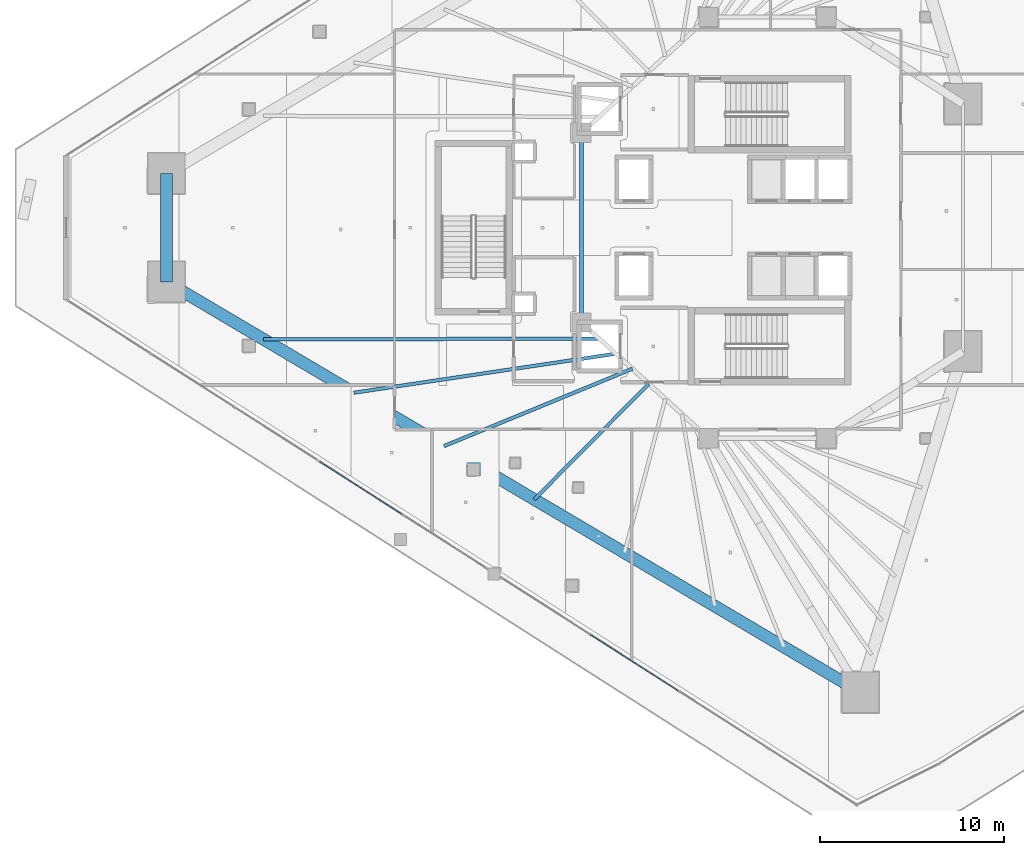
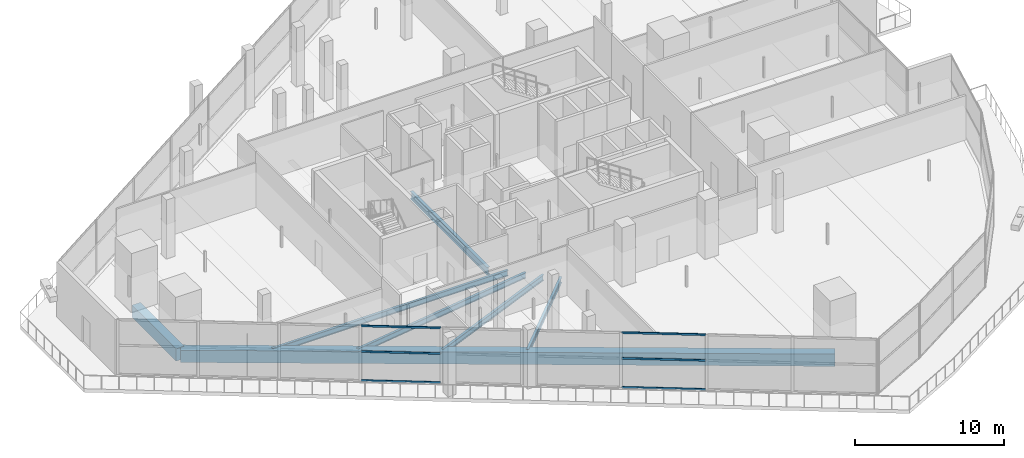
# One storey, part 4 of 42: 7 beams, 6 members, 2 elements without a shape of their own.
"""IFC4 building model written with IfcOpenShell, lengths in metres."""

from ifc_helpers import new_model, si_unit, direction, frame, origin, origin_2d, place, context, subcontext, project, spatial, rectangle, hollow_rectangle, i_section, extrude, material, layer, layer_set, material_profile, profile_set, type_object, element, aggregate, save


model = new_model("IFC4")

# Units and contexts
model_context = context("Model", 3, precision=1e-05, world=origin(), true_north=direction((0.0, 1.0)))
body_context = subcontext(model_context, "Body", "Model", "MODEL_VIEW")
ifc_project = project(units=[si_unit("LENGTHUNIT", "METRE"), si_unit("AREAUNIT", "SQUARE_METRE"), si_unit("VOLUMEUNIT", "CUBIC_METRE"), si_unit("PLANEANGLEUNIT", "RADIAN"), si_unit("MASSUNIT", "GRAM", prefix="KILO")], contexts=[model_context])

# Site, building, storey
site_placement = place(None, origin())
site = spatial("IfcSite", under=ifc_project, at=site_placement, CompositionType="ELEMENT")
building_placement = place(site_placement, origin())
building = spatial("IfcBuilding", under=site, at=building_placement, Name="Qorvath Tower", CompositionType="ELEMENT")
storey_placement = place(building_placement, frame((0.0, 0.0, 105.0)))
storey = spatial("IfcBuildingStorey", under=building, at=storey_placement, Name="L23", CompositionType="ELEMENT", Elevation=105.0)

# Beams
ifc_material_1 = material(Name="Steel ASTM A992 Grade 50", Category="steel")
ifc_material_profile_1 = material_profile(ifc_material_1, i_section(OverallWidth=0.22998046875, OverallDepth=0.616943359375, WebThickness=0.01318359375, FlangeThickness=0.022216796875, FilletRadius=0.014892578125, at=origin_2d()), Name="W24x94")
ifc_profile_set_1 = profile_set([ifc_material_profile_1], Name="Steel ASTM A992 Grade 50")
beam_type_1 = type_object("IfcBeamType", Name="BM-FG6", PredefinedType="BEAM", material=ifc_profile_set_1)
beam_1_placement = place(storey_placement, frame((-30.5, -5.14990234375, -0.6083984375), z_axis=(0.0, 1.0, 0.0), x_axis=(-1.0, 0.0, 0.0)))
element("IfcBeam", 1, at=beam_1_placement, inside=storey, type_object=beam_type_1, Name="Core Ring Girder CC6-CC5 L23", PredefinedType="BEAM", context=body_context, shape_type="SweptSolid", body=[
    extrude(i_section(OverallWidth=0.22998046875, OverallDepth=0.616943359375, WebThickness=0.01318359375, FlangeThickness=0.022216796875, FilletRadius=0.014892578125, at=origin_2d()), origin(), (0.0, 0.0, 1.0), 10.2998046875),
])
ifc_material_2 = material(Name="Steel ASTM A992 Grade 50", Category="steel")
ifc_material_profile_2 = material_profile(ifc_material_2, i_section(OverallWidth=0.18994140625, OverallDepth=0.45703125, WebThickness=0.009033203125, FlangeThickness=0.014404296875, FilletRadius=0.011962890625, at=origin_2d()), Name="W18x50")
ifc_profile_set_2 = profile_set([ifc_material_profile_2], Name="Steel ASTM A992 Grade 50")
beam_type_2 = type_object("IfcBeamType", Name="BM-FJ2", PredefinedType="JOIST", material=ifc_profile_set_2)
beam_2_placement = place(storey_placement, frame((-29.533935546875, -6.031982421875, -0.528564453125), z_axis=(-0.999997589883, -0.002195501951, 0.0), x_axis=(0.002195501951, -0.999997589883, 0.0)))
element("IfcBeam", 2, at=beam_2_placement, inside=storey, type_object=beam_type_2, Name="Composite Floor Joist SW1 L23", PredefinedType="JOIST", context=body_context, shape_type="SweptSolid", body=[
    extrude(i_section(OverallWidth=0.18994140625, OverallDepth=0.45703125, WebThickness=0.009033203125, FlangeThickness=0.014404296875, FilletRadius=0.011962890625, at=origin_2d()), origin(), (0.0, 0.0, 1.0), 18.23681640625),
])
beam_3_placement = place(storey_placement, frame((-28.636962890625, -6.85107421875, -0.528564453125), z_axis=(-0.989092860328, -0.147293291256, 0.0), x_axis=(0.147293291256, -0.989092860328, 0.0)))
element("IfcBeam", 3, at=beam_3_placement, inside=storey, type_object=beam_type_2, Name="Composite Floor Joist SW2 L23", PredefinedType="JOIST", context=body_context, shape_type="SweptSolid", body=[
    extrude(i_section(OverallWidth=0.18994140625, OverallDepth=0.45703125, WebThickness=0.009033203125, FlangeThickness=0.014404296875, FilletRadius=0.011962890625, at=origin_2d()), origin(), (0.0, 0.0, 1.0), 14.388916015625),
])
beam_4_placement = place(storey_placement, frame((-27.739990234375, -7.669921875, -0.528564453125), z_axis=(-0.925068176006, -0.379801092338, 0.0), x_axis=(0.379801092338, -0.925068176006, 0.0)))
element("IfcBeam", 4, at=beam_4_placement, inside=storey, type_object=beam_type_2, Name="Composite Floor Joist SW3 L23", PredefinedType="JOIST", context=body_context, shape_type="SweptSolid", body=[
    extrude(i_section(OverallWidth=0.18994140625, OverallDepth=0.45703125, WebThickness=0.009033203125, FlangeThickness=0.014404296875, FilletRadius=0.011962890625, at=origin_2d()), origin(), (0.0, 0.0, 1.0), 11.0556640625),
])
beam_5_placement = place(storey_placement, frame((-26.843017578125, -8.489013671875, -0.528564453125), z_axis=(-0.70395121362, -0.710248328997, 0.0), x_axis=(0.710248328997, -0.70395121362, 0.0)))
element("IfcBeam", 5, at=beam_5_placement, inside=storey, type_object=beam_type_2, Name="Composite Floor Joist SW4 L23", PredefinedType="JOIST", context=body_context, shape_type="SweptSolid", body=[
    extrude(i_section(OverallWidth=0.18994140625, OverallDepth=0.45703125, WebThickness=0.009033203125, FlangeThickness=0.014404296875, FilletRadius=0.011962890625, at=origin_2d()), origin(), (0.0, 0.0, 1.0), 8.839599609375),
])
ifc_material_3 = material(Name="Concrete C50/60", Category="concrete")
ifc_material_profile_3 = material_profile(ifc_material_3, rectangle(XDim=0.64990234375, YDim=1.0, at=origin_2d()), Name="RCB 1000x650")
ifc_profile_set_3 = profile_set([ifc_material_profile_3], Name="Concrete C50/60")
beam_type_3 = type_object("IfcBeamType", Name="BM-RCB1", PredefinedType="SPANDREL", material=ifc_profile_set_3)
beam_6_placement = place(storey_placement, frame((-53.04931640625, 2.95068359375, -0.800048828125), z_axis=(0.0, -1.0, 0.0), x_axis=(1.0, 0.0, 0.0)))
element("IfcBeam", 6, at=beam_6_placement, inside=storey, type_object=beam_type_3, Name="Perimeter Loggia Frame Beam MC1-MC2 L23", PredefinedType="SPANDREL", context=body_context, shape_type="SweptSolid", body=[
    extrude(rectangle(XDim=0.64990234375, YDim=1.0, at=origin_2d()), origin(), (0.0, 0.0, 1.0), 5.9013671875),
])
beam_7_placement = place(storey_placement, frame((-53.04931640625, -2.95068359375, -0.800048828125), z_axis=(0.860775142889, -0.508985415689, 0.0), x_axis=(0.508985415689, 0.860775142889, 0.0)))
element("IfcBeam", 7, at=beam_7_placement, inside=storey, type_object=beam_type_3, Name="Perimeter Loggia Frame Beam MC2-MC3 L23", PredefinedType="SPANDREL", context=body_context, shape_type="SweptSolid", body=[
    extrude(rectangle(XDim=0.64990234375, YDim=1.0, at=origin_2d()), origin(), (0.0, 0.0, 1.0), 43.8037109375),
])

# Curtain wall, members
ifc_material_4 = material(Name="Anodised aluminium and triple low-E glass", Category="aluminium")
ifc_layer = layer(ifc_material_4, 0.179931640625)
ifc_layer_set = layer_set([ifc_layer], Name="CW-SYS-5")
curtain_wall_type = type_object("IfcCurtainWallType", Name="CW-SYS-5", PredefinedType="NOTDEFINED", material=ifc_layer_set)
curtain_wall_1_placement = place(storey_placement, origin())
curtain_wall_1 = element("IfcCurtainWall", 8, at=curtain_wall_1_placement, inside=storey, type_object=curtain_wall_type, Name="Curtain Wall CW-5 CW-T-L23-2.1", PredefinedType="NOTDEFINED")
ifc_material_5 = material(Name="Anodised aluminium 6063-T6", Category="aluminium")
ifc_material_profile_4 = material_profile(ifc_material_5, hollow_rectangle(XDim=0.06494140625, YDim=0.159912109375, WallThickness=0.00341796875, InnerFilletRadius=0.00341796875, OuterFilletRadius=0.007080078125, at=origin_2d()), Name="CWT 160x65")
ifc_profile_set_4 = profile_set([ifc_material_profile_4], Name="Anodised aluminium 6063-T6")
member_type = type_object("IfcMemberType", Name="CWT-160", PredefinedType="USERDEFINED", material=ifc_profile_set_4)
member_1_placement = place(storey_placement, frame((-44.738037109375, -12.711669921875, 0.032470703125), z_axis=(0.842595089647, -0.538547597621, 0.0), x_axis=(0.538547597621, 0.842595089647, 0.0)))
member_1 = element("IfcMember", 9, at=member_1_placement, type_object=member_type, Name="CW-5 transom 4.1", ObjectType="TRANSOM", PredefinedType="USERDEFINED", context=body_context, shape_type="SweptSolid", body=[
    extrude(hollow_rectangle(XDim=0.06494140625, YDim=0.159912109375, WallThickness=0.00341796875, InnerFilletRadius=0.00341796875, OuterFilletRadius=0.007080078125, at=origin_2d()), origin(), (0.0, 0.0, 1.0), 5.353271484375),
])
member_2_placement = place(storey_placement, frame((-44.738037109375, -12.711669921875, 2.39990234375), z_axis=(0.842595089647, -0.538547597621, 0.0), x_axis=(0.538547597621, 0.842595089647, 0.0)))
member_2 = element("IfcMember", 10, at=member_2_placement, type_object=member_type, Name="CW-5 transom 4.2", ObjectType="TRANSOM", PredefinedType="USERDEFINED", context=body_context, shape_type="SweptSolid", body=[
    extrude(hollow_rectangle(XDim=0.06494140625, YDim=0.159912109375, WallThickness=0.00341796875, InnerFilletRadius=0.00341796875, OuterFilletRadius=0.007080078125, at=origin_2d()), origin(), (0.0, 0.0, 1.0), 5.353271484375),
])
member_3_placement = place(storey_placement, frame((-44.738037109375, -12.711669921875, 4.487548828125), z_axis=(0.842595089647, -0.538547597621, 0.0), x_axis=(0.538547597621, 0.842595089647, 0.0)))
member_3 = element("IfcMember", 11, at=member_3_placement, type_object=member_type, Name="CW-5 transom 4.3", ObjectType="TRANSOM", PredefinedType="USERDEFINED", context=body_context, shape_type="SweptSolid", body=[
    extrude(hollow_rectangle(XDim=0.06494140625, YDim=0.159912109375, WallThickness=0.00341796875, InnerFilletRadius=0.00341796875, OuterFilletRadius=0.007080078125, at=origin_2d()), origin(), (0.0, 0.0, 1.0), 5.353271484375),
])
aggregate(curtain_wall_1, [member_1, member_2, member_3])

curtain_wall_2_placement = place(storey_placement, origin())
curtain_wall_2 = element("IfcCurtainWall", 12, at=curtain_wall_2_placement, inside=storey, type_object=curtain_wall_type, Name="Curtain Wall CW-5 CW-T-L23-2.2", PredefinedType="NOTDEFINED")
member_4_placement = place(storey_placement, frame((-30.015380859375, -22.121337890625, 0.032470703125), z_axis=(0.842587575927, -0.538559353176, 0.0), x_axis=(0.538559353176, 0.842587575927, 0.0)))
member_4 = element("IfcMember", 13, at=member_4_placement, type_object=member_type, Name="CW-5 transom 2.1", ObjectType="TRANSOM", PredefinedType="USERDEFINED", context=body_context, shape_type="SweptSolid", body=[
    extrude(hollow_rectangle(XDim=0.06494140625, YDim=0.159912109375, WallThickness=0.00341796875, InnerFilletRadius=0.00341796875, OuterFilletRadius=0.007080078125, at=origin_2d()), origin(), (0.0, 0.0, 1.0), 5.662841796875),
])
member_5_placement = place(storey_placement, frame((-30.015380859375, -22.121337890625, 2.39990234375), z_axis=(0.842587575927, -0.538559353176, 0.0), x_axis=(0.538559353176, 0.842587575927, 0.0)))
member_5 = element("IfcMember", 14, at=member_5_placement, type_object=member_type, Name="CW-5 transom 2.2", ObjectType="TRANSOM", PredefinedType="USERDEFINED", context=body_context, shape_type="SweptSolid", body=[
    extrude(hollow_rectangle(XDim=0.06494140625, YDim=0.159912109375, WallThickness=0.00341796875, InnerFilletRadius=0.00341796875, OuterFilletRadius=0.007080078125, at=origin_2d()), origin(), (0.0, 0.0, 1.0), 5.662841796875),
])
member_6_placement = place(storey_placement, frame((-30.015380859375, -22.121337890625, 4.487548828125), z_axis=(0.842587575927, -0.538559353176, 0.0), x_axis=(0.538559353176, 0.842587575927, 0.0)))
member_6 = element("IfcMember", 15, at=member_6_placement, type_object=member_type, Name="CW-5 transom 2.3", ObjectType="TRANSOM", PredefinedType="USERDEFINED", context=body_context, shape_type="SweptSolid", body=[
    extrude(hollow_rectangle(XDim=0.06494140625, YDim=0.159912109375, WallThickness=0.00341796875, InnerFilletRadius=0.00341796875, OuterFilletRadius=0.007080078125, at=origin_2d()), origin(), (0.0, 0.0, 1.0), 5.662841796875),
])
aggregate(curtain_wall_2, [member_4, member_5, member_6])

save(model, "model.ifc")
